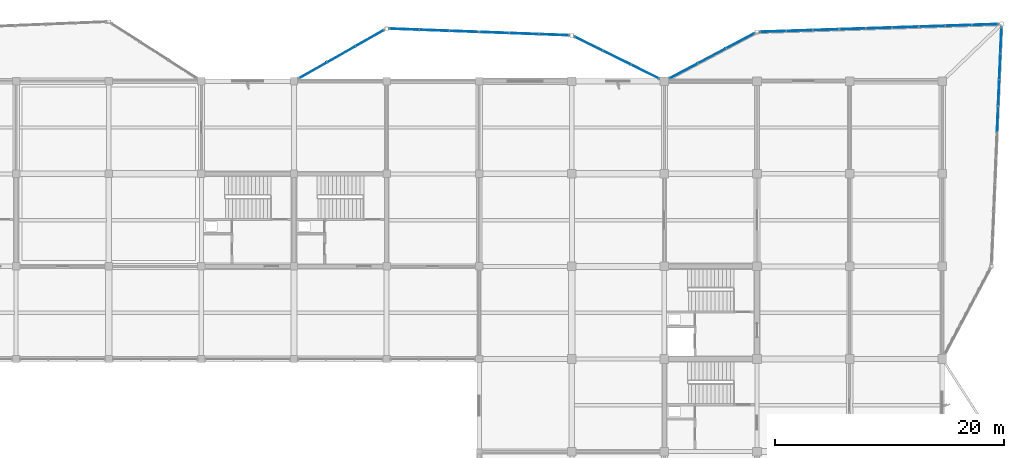
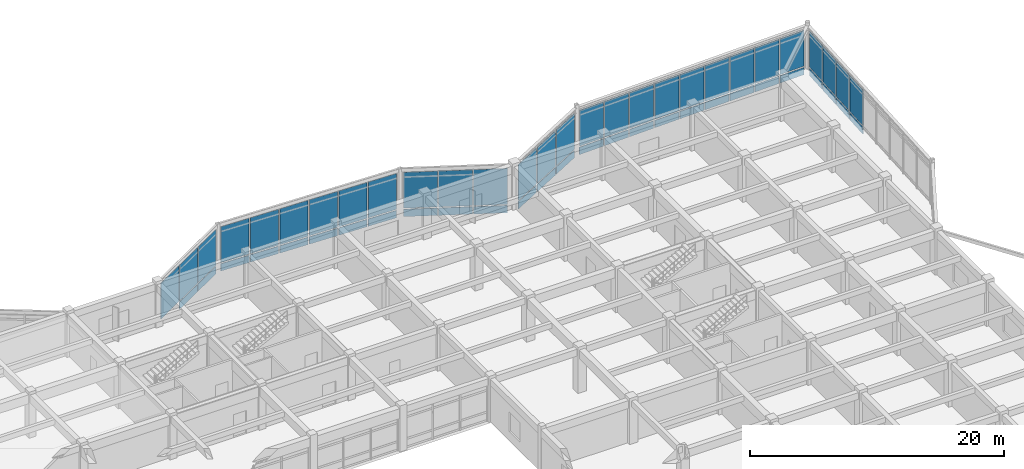
# One storey, part 58 of 89: 55 plates, 10 elements without a shape of their own.
"""IFC4 building model written with IfcOpenShell, lengths in metres."""

from ifc_helpers import new_model, si_unit, direction, frame, origin, origin_2d, place, context, subcontext, project, spatial, rectangle, extrude, material, layer, layer_set, type_object, element, aggregate, save


model = new_model("IFC4")

# Units and contexts
model_context = context("Model", 3, precision=1e-05, world=origin(), true_north=direction((0.0, 1.0)))
body_context = subcontext(model_context, "Body", "Model", "MODEL_VIEW")
ifc_project = project(units=[si_unit("LENGTHUNIT", "METRE"), si_unit("AREAUNIT", "SQUARE_METRE"), si_unit("VOLUMEUNIT", "CUBIC_METRE"), si_unit("PLANEANGLEUNIT", "RADIAN"), si_unit("MASSUNIT", "GRAM", prefix="KILO")], contexts=[model_context])

# Site, building, storey
site_placement = place(None, origin())
site = spatial("IfcSite", under=ifc_project, at=site_placement, CompositionType="ELEMENT")
building_placement = place(site_placement, origin())
building = spatial("IfcBuilding", under=site, at=building_placement, Name="Vaudrelin Polytechnic", CompositionType="ELEMENT")
storey_placement = place(building_placement, frame((0.0, 0.0, 9.68994140625)))
storey = spatial("IfcBuildingStorey", under=building, at=storey_placement, Name="L02", CompositionType="ELEMENT", Elevation=9.68994140625)

# Curtain wall, plates
ifc_material_1 = material(Name="Thermally broken anodised aluminium AA 6063-T6 and low-e triple glazing", Category="aluminium")
ifc_layer_1 = layer(ifc_material_1, 0.199951171875)
ifc_layer_set_1 = layer_set([ifc_layer_1], Name="Thermally broken anodised aluminium AA 6063-T6 and low-e triple glazing")
curtain_wall_type_1 = type_object("IfcCurtainWallType", Name="CW-CW-LAB", PredefinedType="USERDEFINED", material=ifc_layer_set_1)
curtain_wall_1_placement = place(storey_placement, origin())
curtain_wall_1 = element("IfcCurtainWall", 1, at=curtain_wall_1_placement, inside=storey, type_object=curtain_wall_type_1, Name="Curtain wall L02 NEP_1_0", ObjectType="CURTAIN WALL", PredefinedType="USERDEFINED")
ifc_material_2 = material(Name="Insulated ceramic-frit spandrel glass panel", Category="glass")
ifc_layer_2 = layer(ifc_material_2, 0.052001953125)
ifc_layer_set_2 = layer_set([ifc_layer_2], Name="Insulated ceramic-frit spandrel glass panel")
plate_type_1 = type_object("IfcPlateType", Name="PLT-GLZ-SPAND", PredefinedType="CURTAIN_PANEL", material=ifc_layer_set_2)
plate_1_placement = place(storey_placement, frame((147.4873046875, 122.3955078125, -0.5400390625), z_axis=(0.0, 0.0, 1.0), x_axis=(0.88325357809, 0.468895635288, 0.0)))
plate_1 = element("IfcPlate", 2, at=plate_1_placement, type_object=plate_type_1, Name="NEP_1_0 spandrel panel 1", PredefinedType="CURTAIN_PANEL", context=body_context, shape_type="SweptSolid", body=[
    extrude(rectangle(XDim=2.701171875, YDim=0.052001953125, at=origin_2d()), origin(), (0.0, 0.0, 1.0), 0.699951171875),
])
plate_2_placement = place(storey_placement, frame((149.961181640625, 123.708984375, -0.5400390625), z_axis=(0.0, 0.0, 1.0), x_axis=(0.88325357809, 0.468895635288, 0.0)))
plate_2 = element("IfcPlate", 3, at=plate_2_placement, type_object=plate_type_1, Name="NEP_1_0 spandrel panel 2", PredefinedType="CURTAIN_PANEL", context=body_context, shape_type="SweptSolid", body=[
    extrude(rectangle(XDim=2.701171875, YDim=0.052001953125, at=origin_2d()), origin(), (0.0, 0.0, 1.0), 0.699951171875),
])
plate_3_placement = place(storey_placement, frame((152.435302734375, 125.0224609375, -0.5400390625), z_axis=(0.0, 0.0, 1.0), x_axis=(0.88325357809, 0.468895635288, 0.0)))
plate_3 = element("IfcPlate", 4, at=plate_3_placement, type_object=plate_type_1, Name="NEP_1_0 spandrel panel 3", PredefinedType="CURTAIN_PANEL", context=body_context, shape_type="SweptSolid", body=[
    extrude(rectangle(XDim=2.701171875, YDim=0.052001953125, at=origin_2d()), origin(), (0.0, 0.0, 1.0), 0.699951171875),
])

curtain_wall_2_placement = place(storey_placement, origin())
curtain_wall_2 = element("IfcCurtainWall", 5, at=curtain_wall_2_placement, inside=storey, type_object=curtain_wall_type_1, Name="Curtain wall L02 NEP_2_0", ObjectType="CURTAIN WALL", PredefinedType="USERDEFINED")
plate_4_placement = place(storey_placement, frame((155.297119140625, 125.845703125, -0.5400390625), z_axis=(0.0, 0.0, 1.0), x_axis=(0.999465454284, 0.032692593862, 0.0)))
plate_4 = element("IfcPlate", 6, at=plate_4_placement, type_object=plate_type_1, Name="NEP_2_0 spandrel panel 1", PredefinedType="CURTAIN_PANEL", context=body_context, shape_type="SweptSolid", body=[
    extrude(rectangle(XDim=2.220703125, YDim=0.052001953125, at=origin_2d()), origin(), (0.0, 0.0, 1.0), 0.699951171875),
])
plate_5_placement = place(storey_placement, frame((157.616455078125, 125.921630859375, -0.5400390625), z_axis=(0.0, 0.0, 1.0), x_axis=(0.999465454284, 0.032692593862, 0.0)))
plate_5 = element("IfcPlate", 7, at=plate_5_placement, type_object=plate_type_1, Name="NEP_2_0 spandrel panel 2", PredefinedType="CURTAIN_PANEL", context=body_context, shape_type="SweptSolid", body=[
    extrude(rectangle(XDim=2.220703125, YDim=0.052001953125, at=origin_2d()), origin(), (0.0, 0.0, 1.0), 0.699951171875),
])
plate_6_placement = place(storey_placement, frame((159.935791015625, 125.99755859375, -0.5400390625), z_axis=(0.0, 0.0, 1.0), x_axis=(0.999465454284, 0.032692593862, 0.0)))
plate_6 = element("IfcPlate", 8, at=plate_6_placement, type_object=plate_type_1, Name="NEP_2_0 spandrel panel 3", PredefinedType="CURTAIN_PANEL", context=body_context, shape_type="SweptSolid", body=[
    extrude(rectangle(XDim=2.220703125, YDim=0.052001953125, at=origin_2d()), origin(), (0.0, 0.0, 1.0), 0.699951171875),
])

curtain_wall_3_placement = place(storey_placement, origin())
curtain_wall_3 = element("IfcCurtainWall", 9, at=curtain_wall_3_placement, inside=storey, type_object=curtain_wall_type_1, Name="Curtain wall L02 NEP_2_1", ObjectType="CURTAIN WALL", PredefinedType="USERDEFINED")
plate_7_placement = place(storey_placement, frame((162.25537109375, 126.0732421875, -0.5400390625), z_axis=(0.0, 0.0, 1.0), x_axis=(0.999465454284, 0.032692593862, 0.0)))
plate_7 = element("IfcPlate", 10, at=plate_7_placement, type_object=plate_type_1, Name="NEP_2_1 spandrel panel 1", PredefinedType="CURTAIN_PANEL", context=body_context, shape_type="SweptSolid", body=[
    extrude(rectangle(XDim=2.220703125, YDim=0.052001953125, at=origin_2d()), origin(), (0.0, 0.0, 1.0), 0.699951171875),
])
plate_8_placement = place(storey_placement, frame((164.57470703125, 126.149169921875, -0.5400390625), z_axis=(0.0, 0.0, 1.0), x_axis=(0.999465454284, 0.032692593862, 0.0)))
plate_8 = element("IfcPlate", 11, at=plate_8_placement, type_object=plate_type_1, Name="NEP_2_1 spandrel panel 2", PredefinedType="CURTAIN_PANEL", context=body_context, shape_type="SweptSolid", body=[
    extrude(rectangle(XDim=2.220703125, YDim=0.052001953125, at=origin_2d()), origin(), (0.0, 0.0, 1.0), 0.699951171875),
])
plate_9_placement = place(storey_placement, frame((166.89404296875, 126.22509765625, -0.5400390625), z_axis=(0.0, 0.0, 1.0), x_axis=(0.999465454284, 0.032692593862, 0.0)))
plate_9 = element("IfcPlate", 12, at=plate_9_placement, type_object=plate_type_1, Name="NEP_2_1 spandrel panel 3", PredefinedType="CURTAIN_PANEL", context=body_context, shape_type="SweptSolid", body=[
    extrude(rectangle(XDim=2.220703125, YDim=0.052001953125, at=origin_2d()), origin(), (0.0, 0.0, 1.0), 0.699951171875),
])

curtain_wall_4_placement = place(storey_placement, origin())
curtain_wall_4 = element("IfcCurtainWall", 13, at=curtain_wall_4_placement, inside=storey, type_object=curtain_wall_type_1, Name="Curtain wall L02 NEP_2_2", ObjectType="CURTAIN WALL", PredefinedType="USERDEFINED")
plate_10_placement = place(storey_placement, frame((169.21337890625, 126.30078125, -0.5400390625), z_axis=(0.0, 0.0, 1.0), x_axis=(0.999465454284, 0.032692593862, 0.0)))
plate_10 = element("IfcPlate", 14, at=plate_10_placement, type_object=plate_type_1, Name="NEP_2_2 spandrel panel 1", PredefinedType="CURTAIN_PANEL", context=body_context, shape_type="SweptSolid", body=[
    extrude(rectangle(XDim=2.220703125, YDim=0.052001953125, at=origin_2d()), origin(), (0.0, 0.0, 1.0), 0.699951171875),
])
plate_11_placement = place(storey_placement, frame((171.53271484375, 126.376708984375, -0.5400390625), z_axis=(0.0, 0.0, 1.0), x_axis=(0.999465454284, 0.032692593862, 0.0)))
plate_11 = element("IfcPlate", 15, at=plate_11_placement, type_object=plate_type_1, Name="NEP_2_2 spandrel panel 2", PredefinedType="CURTAIN_PANEL", context=body_context, shape_type="SweptSolid", body=[
    extrude(rectangle(XDim=2.220703125, YDim=0.052001953125, at=origin_2d()), origin(), (0.0, 0.0, 1.0), 0.699951171875),
])
plate_12_placement = place(storey_placement, frame((173.85205078125, 126.45263671875, -0.5400390625), z_axis=(0.0, 0.0, 1.0), x_axis=(0.999465454284, 0.032692593862, 0.0)))
plate_12 = element("IfcPlate", 16, at=plate_12_placement, type_object=plate_type_1, Name="NEP_2_2 spandrel panel 3", PredefinedType="CURTAIN_PANEL", context=body_context, shape_type="SweptSolid", body=[
    extrude(rectangle(XDim=2.220703125, YDim=0.052001953125, at=origin_2d()), origin(), (0.0, 0.0, 1.0), 0.699951171875),
])

curtain_wall_5_placement = place(storey_placement, origin())
curtain_wall_5 = element("IfcCurtainWall", 17, at=curtain_wall_5_placement, inside=storey, type_object=curtain_wall_type_1, Name="Curtain wall L02 NEP_3_0", ObjectType="CURTAIN WALL", PredefinedType="USERDEFINED")
plate_13_placement = place(storey_placement, frame((175.239013671875, 125.063232421875, -0.5400390625), z_axis=(0.0, 0.0, 1.0), x_axis=(-0.042419882824, -0.999099871655, 0.0)))
plate_13 = element("IfcPlate", 18, at=plate_13_placement, type_object=plate_type_1, Name="NEP_3_0 spandrel panel 1", PredefinedType="CURTAIN_PANEL", context=body_context, shape_type="SweptSolid", body=[
    extrude(rectangle(XDim=2.19921875, YDim=0.052001953125, at=origin_2d()), origin(), (0.0, 0.0, 1.0), 0.699951171875),
])
plate_14_placement = place(storey_placement, frame((175.1416015625, 122.76611328125, -0.5400390625), z_axis=(0.0, 0.0, 1.0), x_axis=(-0.042419882824, -0.999099871655, 0.0)))
plate_14 = element("IfcPlate", 19, at=plate_14_placement, type_object=plate_type_1, Name="NEP_3_0 spandrel panel 2", PredefinedType="CURTAIN_PANEL", context=body_context, shape_type="SweptSolid", body=[
    extrude(rectangle(XDim=2.19921875, YDim=0.052001953125, at=origin_2d()), origin(), (0.0, 0.0, 1.0), 0.699951171875),
])
plate_15_placement = place(storey_placement, frame((175.0439453125, 120.468994140625, -0.5400390625), z_axis=(0.0, 0.0, 1.0), x_axis=(-0.042419882824, -0.999099871655, 0.0)))
plate_15 = element("IfcPlate", 20, at=plate_15_placement, type_object=plate_type_1, Name="NEP_3_0 spandrel panel 3", PredefinedType="CURTAIN_PANEL", context=body_context, shape_type="SweptSolid", body=[
    extrude(rectangle(XDim=2.19921875, YDim=0.052001953125, at=origin_2d()), origin(), (0.0, 0.0, 1.0), 0.699951171875),
])

# Curtain wall, plate
curtain_wall_6_placement = place(storey_placement, origin())
curtain_wall_6 = element("IfcCurtainWall", 21, at=curtain_wall_6_placement, inside=storey, type_object=curtain_wall_type_1, Name="Curtain wall L02 NEP_3_1", ObjectType="CURTAIN WALL", PredefinedType="USERDEFINED")
plate_16_placement = place(storey_placement, frame((174.9462890625, 118.171875, -0.5400390625), z_axis=(0.0, 0.0, 1.0), x_axis=(-0.042405411318, -0.999100485983, 0.0)))
plate_16 = element("IfcPlate", 22, at=plate_16_placement, type_object=plate_type_1, Name="NEP_3_1 spandrel panel 1", PredefinedType="CURTAIN_PANEL", context=body_context, shape_type="SweptSolid", body=[
    extrude(rectangle(XDim=2.19921875, YDim=0.052001953125, at=origin_2d()), origin(), (0.0, 0.0, 1.0), 0.699951171875),
])

# Curtain wall, plates
ifc_layer_3 = layer(ifc_material_1, 0.199951171875)
ifc_layer_set_3 = layer_set([ifc_layer_3], Name="Thermally broken anodised aluminium AA 6063-T6 and low-e triple glazing")
curtain_wall_type_2 = type_object("IfcCurtainWallType", Name="CW-CW-STU", PredefinedType="USERDEFINED", material=ifc_layer_set_3)
curtain_wall_7_placement = place(storey_placement, origin())
curtain_wall_7 = element("IfcCurtainWall", 23, at=curtain_wall_7_placement, inside=storey, type_object=curtain_wall_type_2, Name="Curtain wall L02 N_OR3_1_0", ObjectType="CURTAIN WALL", PredefinedType="USERDEFINED")
plate_17_placement = place(storey_placement, frame((117.5361328125, 123.84912109375, -0.5400390625), z_axis=(0.0, 0.0, 1.0), x_axis=(0.869560902345, 0.493825715322, 0.0)))
plate_17 = element("IfcPlate", 24, at=plate_17_placement, type_object=plate_type_1, Name="N_OR3_1_0 spandrel panel 2", PredefinedType="CURTAIN_PANEL", context=body_context, shape_type="SweptSolid", body=[
    extrude(rectangle(XDim=2.765380859375, YDim=0.052001953125, at=origin_2d()), origin(), (0.0, 0.0, 1.0), 0.699951171875),
])
plate_18_placement = place(storey_placement, frame((120.02783203125, 125.263916015625, -0.5400390625), z_axis=(0.0, 0.0, 1.0), x_axis=(0.869560902345, 0.493825715322, 0.0)))
plate_18 = element("IfcPlate", 25, at=plate_18_placement, type_object=plate_type_1, Name="N_OR3_1_0 spandrel panel 3", PredefinedType="CURTAIN_PANEL", context=body_context, shape_type="SweptSolid", body=[
    extrude(rectangle(XDim=2.765380859375, YDim=0.052001953125, at=origin_2d()), origin(), (0.0, 0.0, 1.0), 0.699951171875),
])

curtain_wall_8_placement = place(storey_placement, origin())
curtain_wall_8 = element("IfcCurtainWall", 26, at=curtain_wall_8_placement, inside=storey, type_object=curtain_wall_type_2, Name="Curtain wall L02 N_OR3_2_0", ObjectType="CURTAIN WALL", PredefinedType="USERDEFINED")
plate_19_placement = place(storey_placement, frame((123.0478515625, 126.042724609375, -0.5400390625), z_axis=(0.0, 0.0, 1.0), x_axis=(0.999314868587, -0.037010720341, 0.0)))
plate_19 = element("IfcPlate", 27, at=plate_19_placement, type_object=plate_type_1, Name="N_OR3_2_0 spandrel panel 1", PredefinedType="CURTAIN_PANEL", context=body_context, shape_type="SweptSolid", body=[
    extrude(rectangle(XDim=2.522705078125, YDim=0.052001953125, at=origin_2d()), origin(), (0.0, 0.0, 1.0), 0.699951171875),
])
plate_20_placement = place(storey_placement, frame((125.668701171875, 125.945556640625, -0.5400390625), z_axis=(0.0, 0.0, 1.0), x_axis=(0.999314868587, -0.037010720341, 0.0)))
plate_20 = element("IfcPlate", 28, at=plate_20_placement, type_object=plate_type_1, Name="N_OR3_2_0 spandrel panel 2", PredefinedType="CURTAIN_PANEL", context=body_context, shape_type="SweptSolid", body=[
    extrude(rectangle(XDim=2.522705078125, YDim=0.052001953125, at=origin_2d()), origin(), (0.0, 0.0, 1.0), 0.699951171875),
])
plate_21_placement = place(storey_placement, frame((128.28955078125, 125.848388671875, -0.5400390625), z_axis=(0.0, 0.0, 1.0), x_axis=(0.999314868587, -0.037010720341, 0.0)))
plate_21 = element("IfcPlate", 29, at=plate_21_placement, type_object=plate_type_1, Name="N_OR3_2_0 spandrel panel 3", PredefinedType="CURTAIN_PANEL", context=body_context, shape_type="SweptSolid", body=[
    extrude(rectangle(XDim=2.522705078125, YDim=0.052001953125, at=origin_2d()), origin(), (0.0, 0.0, 1.0), 0.699951171875),
])

curtain_wall_9_placement = place(storey_placement, origin())
curtain_wall_9 = element("IfcCurtainWall", 30, at=curtain_wall_9_placement, inside=storey, type_object=curtain_wall_type_2, Name="Curtain wall L02 N_OR3_2_1", ObjectType="CURTAIN WALL", PredefinedType="USERDEFINED")
plate_22_placement = place(storey_placement, frame((130.910400390625, 125.75146484375, -0.5400390625), z_axis=(0.0, 0.0, 1.0), x_axis=(0.999314868587, -0.037010720341, 0.0)))
plate_22 = element("IfcPlate", 31, at=plate_22_placement, type_object=plate_type_1, Name="N_OR3_2_1 spandrel panel 1", PredefinedType="CURTAIN_PANEL", context=body_context, shape_type="SweptSolid", body=[
    extrude(rectangle(XDim=2.522705078125, YDim=0.052001953125, at=origin_2d()), origin(), (0.0, 0.0, 1.0), 0.699951171875),
])
plate_23_placement = place(storey_placement, frame((133.53125, 125.654296875, -0.5400390625), z_axis=(0.0, 0.0, 1.0), x_axis=(0.999314868587, -0.037010720341, 0.0)))
plate_23 = element("IfcPlate", 32, at=plate_23_placement, type_object=plate_type_1, Name="N_OR3_2_1 spandrel panel 2", PredefinedType="CURTAIN_PANEL", context=body_context, shape_type="SweptSolid", body=[
    extrude(rectangle(XDim=2.522705078125, YDim=0.052001953125, at=origin_2d()), origin(), (0.0, 0.0, 1.0), 0.699951171875),
])
plate_24_placement = place(storey_placement, frame((136.152099609375, 125.557373046875, -0.5400390625), z_axis=(0.0, 0.0, 1.0), x_axis=(0.999314868587, -0.037010720341, 0.0)))
plate_24 = element("IfcPlate", 33, at=plate_24_placement, type_object=plate_type_1, Name="N_OR3_2_1 spandrel panel 3", PredefinedType="CURTAIN_PANEL", context=body_context, shape_type="SweptSolid", body=[
    extrude(rectangle(XDim=2.522705078125, YDim=0.052001953125, at=origin_2d()), origin(), (0.0, 0.0, 1.0), 0.699951171875),
])

curtain_wall_10_placement = place(storey_placement, origin())
curtain_wall_10 = element("IfcCurtainWall", 34, at=curtain_wall_10_placement, inside=storey, type_object=curtain_wall_type_2, Name="Curtain wall L02 N_OR3_3_0", ObjectType="CURTAIN WALL", PredefinedType="USERDEFINED")
plate_25_placement = place(storey_placement, frame((139.165283203125, 124.7763671875, -0.5400390625), z_axis=(0.0, 0.0, 1.0), x_axis=(0.896627585947, -0.442785469635, 0.0)))
plate_25 = element("IfcPlate", 35, at=plate_25_placement, type_object=plate_type_1, Name="N_OR3_3_0 spandrel panel 1", PredefinedType="CURTAIN_PANEL", context=body_context, shape_type="SweptSolid", body=[
    extrude(rectangle(XDim=2.658447265625, YDim=0.052001953125, at=origin_2d()), origin(), (0.0, 0.0, 1.0), 0.699951171875),
])
plate_26_placement = place(storey_placement, frame((141.638916015625, 123.554931640625, -0.5400390625), z_axis=(0.0, 0.0, 1.0), x_axis=(0.896627585947, -0.442785469635, 0.0)))
plate_26 = element("IfcPlate", 36, at=plate_26_placement, type_object=plate_type_1, Name="N_OR3_3_0 spandrel panel 2", PredefinedType="CURTAIN_PANEL", context=body_context, shape_type="SweptSolid", body=[
    extrude(rectangle(XDim=2.658447265625, YDim=0.052001953125, at=origin_2d()), origin(), (0.0, 0.0, 1.0), 0.699951171875),
])
plate_27_placement = place(storey_placement, frame((144.112060546875, 122.33349609375, -0.5400390625), z_axis=(0.0, 0.0, 1.0), x_axis=(0.896627585947, -0.442785469635, 0.0)))
plate_27 = element("IfcPlate", 37, at=plate_27_placement, type_object=plate_type_1, Name="N_OR3_3_0 spandrel panel 3", PredefinedType="CURTAIN_PANEL", context=body_context, shape_type="SweptSolid", body=[
    extrude(rectangle(XDim=2.658447265625, YDim=0.052001953125, at=origin_2d()), origin(), (0.0, 0.0, 1.0), 0.699951171875),
])

# Plate
ifc_material_3 = material(Name="Triple low-e argon insulated glazing unit", Category="glass")
ifc_layer_4 = layer(ifc_material_3, 0.0439453125)
ifc_layer_set_4 = layer_set([ifc_layer_4], Name="Triple low-e argon insulated glazing unit")
plate_type_2 = type_object("IfcPlateType", Name="PLT-GLZ-TRIPLE", PredefinedType="CURTAIN_PANEL", material=ifc_layer_set_4)
plate_28_placement = place(storey_placement, frame((147.4873046875, 122.3955078125, 0.27001953125), z_axis=(0.0, 0.0, 1.0), x_axis=(0.88325357809, 0.468895635288, 0.0)))
plate_28 = element("IfcPlate", 38, at=plate_28_placement, type_object=plate_type_2, Name="NEP_1_0 vision panel 1", PredefinedType="CURTAIN_PANEL", context=body_context, shape_type="SweptSolid", body=[
    extrude(rectangle(XDim=2.701171875, YDim=0.0439453125, at=origin_2d()), origin(), (0.0, 0.0, 1.0), 3.43994140625),
])

plate_29_placement = place(storey_placement, frame((149.961181640625, 123.708984375, 0.27001953125), z_axis=(0.0, 0.0, 1.0), x_axis=(0.88325357809, 0.468895635288, 0.0)))
plate_29 = element("IfcPlate", 39, at=plate_29_placement, type_object=plate_type_2, Name="NEP_1_0 vision panel 2", PredefinedType="CURTAIN_PANEL", context=body_context, shape_type="SweptSolid", body=[
    extrude(rectangle(XDim=2.701171875, YDim=0.0439453125, at=origin_2d()), origin(), (0.0, 0.0, 1.0), 3.43994140625),
])

plate_30_placement = place(storey_placement, frame((152.435302734375, 125.0224609375, 0.27001953125), z_axis=(0.0, 0.0, 1.0), x_axis=(0.88325357809, 0.468895635288, 0.0)))
plate_30 = element("IfcPlate", 40, at=plate_30_placement, type_object=plate_type_2, Name="NEP_1_0 vision panel 3", PredefinedType="CURTAIN_PANEL", context=body_context, shape_type="SweptSolid", body=[
    extrude(rectangle(XDim=2.701171875, YDim=0.0439453125, at=origin_2d()), origin(), (0.0, 0.0, 1.0), 3.43994140625),
])

aggregate(curtain_wall_1, [plate_1, plate_28, plate_2, plate_29, plate_3, plate_30])

plate_31_placement = place(storey_placement, frame((155.297119140625, 125.845703125, 0.27001953125), z_axis=(0.0, 0.0, 1.0), x_axis=(0.999465454284, 0.032692593862, 0.0)))
plate_31 = element("IfcPlate", 41, at=plate_31_placement, type_object=plate_type_2, Name="NEP_2_0 vision panel 1", PredefinedType="CURTAIN_PANEL", context=body_context, shape_type="SweptSolid", body=[
    extrude(rectangle(XDim=2.220703125, YDim=0.0439453125, at=origin_2d()), origin(), (0.0, 0.0, 1.0), 3.43994140625),
])

plate_32_placement = place(storey_placement, frame((157.616455078125, 125.921630859375, 0.27001953125), z_axis=(0.0, 0.0, 1.0), x_axis=(0.999465454284, 0.032692593862, 0.0)))
plate_32 = element("IfcPlate", 42, at=plate_32_placement, type_object=plate_type_2, Name="NEP_2_0 vision panel 2", PredefinedType="CURTAIN_PANEL", context=body_context, shape_type="SweptSolid", body=[
    extrude(rectangle(XDim=2.220703125, YDim=0.0439453125, at=origin_2d()), origin(), (0.0, 0.0, 1.0), 3.43994140625),
])

plate_33_placement = place(storey_placement, frame((159.935791015625, 125.99755859375, 0.27001953125), z_axis=(0.0, 0.0, 1.0), x_axis=(0.999465454284, 0.032692593862, 0.0)))
plate_33 = element("IfcPlate", 43, at=plate_33_placement, type_object=plate_type_2, Name="NEP_2_0 vision panel 3", PredefinedType="CURTAIN_PANEL", context=body_context, shape_type="SweptSolid", body=[
    extrude(rectangle(XDim=2.220703125, YDim=0.0439453125, at=origin_2d()), origin(), (0.0, 0.0, 1.0), 3.43994140625),
])

aggregate(curtain_wall_2, [plate_4, plate_31, plate_5, plate_32, plate_6, plate_33])

plate_34_placement = place(storey_placement, frame((162.25537109375, 126.0732421875, 0.27001953125), z_axis=(0.0, 0.0, 1.0), x_axis=(0.999465454284, 0.032692593862, 0.0)))
plate_34 = element("IfcPlate", 44, at=plate_34_placement, type_object=plate_type_2, Name="NEP_2_1 vision panel 1", PredefinedType="CURTAIN_PANEL", context=body_context, shape_type="SweptSolid", body=[
    extrude(rectangle(XDim=2.220703125, YDim=0.0439453125, at=origin_2d()), origin(), (0.0, 0.0, 1.0), 3.43994140625),
])

plate_35_placement = place(storey_placement, frame((164.57470703125, 126.149169921875, 0.27001953125), z_axis=(0.0, 0.0, 1.0), x_axis=(0.999465454284, 0.032692593862, 0.0)))
plate_35 = element("IfcPlate", 45, at=plate_35_placement, type_object=plate_type_2, Name="NEP_2_1 vision panel 2", PredefinedType="CURTAIN_PANEL", context=body_context, shape_type="SweptSolid", body=[
    extrude(rectangle(XDim=2.220703125, YDim=0.0439453125, at=origin_2d()), origin(), (0.0, 0.0, 1.0), 3.43994140625),
])

plate_36_placement = place(storey_placement, frame((166.89404296875, 126.22509765625, 0.27001953125), z_axis=(0.0, 0.0, 1.0), x_axis=(0.999465454284, 0.032692593862, 0.0)))
plate_36 = element("IfcPlate", 46, at=plate_36_placement, type_object=plate_type_2, Name="NEP_2_1 vision panel 3", PredefinedType="CURTAIN_PANEL", context=body_context, shape_type="SweptSolid", body=[
    extrude(rectangle(XDim=2.220703125, YDim=0.0439453125, at=origin_2d()), origin(), (0.0, 0.0, 1.0), 3.43994140625),
])

aggregate(curtain_wall_3, [plate_7, plate_34, plate_8, plate_35, plate_9, plate_36])

plate_37_placement = place(storey_placement, frame((169.21337890625, 126.30078125, 0.27001953125), z_axis=(0.0, 0.0, 1.0), x_axis=(0.999465454284, 0.032692593862, 0.0)))
plate_37 = element("IfcPlate", 47, at=plate_37_placement, type_object=plate_type_2, Name="NEP_2_2 vision panel 1", PredefinedType="CURTAIN_PANEL", context=body_context, shape_type="SweptSolid", body=[
    extrude(rectangle(XDim=2.220703125, YDim=0.0439453125, at=origin_2d()), origin(), (0.0, 0.0, 1.0), 3.43994140625),
])

plate_38_placement = place(storey_placement, frame((171.53271484375, 126.376708984375, 0.27001953125), z_axis=(0.0, 0.0, 1.0), x_axis=(0.999465454284, 0.032692593862, 0.0)))
plate_38 = element("IfcPlate", 48, at=plate_38_placement, type_object=plate_type_2, Name="NEP_2_2 vision panel 2", PredefinedType="CURTAIN_PANEL", context=body_context, shape_type="SweptSolid", body=[
    extrude(rectangle(XDim=2.220703125, YDim=0.0439453125, at=origin_2d()), origin(), (0.0, 0.0, 1.0), 3.43994140625),
])

plate_39_placement = place(storey_placement, frame((173.85205078125, 126.45263671875, 0.27001953125), z_axis=(0.0, 0.0, 1.0), x_axis=(0.999465454284, 0.032692593862, 0.0)))
plate_39 = element("IfcPlate", 49, at=plate_39_placement, type_object=plate_type_2, Name="NEP_2_2 vision panel 3", PredefinedType="CURTAIN_PANEL", context=body_context, shape_type="SweptSolid", body=[
    extrude(rectangle(XDim=2.220703125, YDim=0.0439453125, at=origin_2d()), origin(), (0.0, 0.0, 1.0), 3.43994140625),
])

aggregate(curtain_wall_4, [plate_10, plate_37, plate_11, plate_38, plate_12, plate_39])

plate_40_placement = place(storey_placement, frame((175.239013671875, 125.063232421875, 0.27001953125), z_axis=(0.0, 0.0, 1.0), x_axis=(-0.042419882824, -0.999099871655, 0.0)))
plate_40 = element("IfcPlate", 50, at=plate_40_placement, type_object=plate_type_2, Name="NEP_3_0 vision panel 1", PredefinedType="CURTAIN_PANEL", context=body_context, shape_type="SweptSolid", body=[
    extrude(rectangle(XDim=2.19921875, YDim=0.0439453125, at=origin_2d()), origin(), (0.0, 0.0, 1.0), 3.43994140625),
])

plate_41_placement = place(storey_placement, frame((175.1416015625, 122.76611328125, 0.27001953125), z_axis=(0.0, 0.0, 1.0), x_axis=(-0.042419882824, -0.999099871655, 0.0)))
plate_41 = element("IfcPlate", 51, at=plate_41_placement, type_object=plate_type_2, Name="NEP_3_0 vision panel 2", PredefinedType="CURTAIN_PANEL", context=body_context, shape_type="SweptSolid", body=[
    extrude(rectangle(XDim=2.19921875, YDim=0.0439453125, at=origin_2d()), origin(), (0.0, 0.0, 1.0), 3.43994140625),
])

plate_42_placement = place(storey_placement, frame((175.0439453125, 120.468994140625, 0.27001953125), z_axis=(0.0, 0.0, 1.0), x_axis=(-0.042419882824, -0.999099871655, 0.0)))
plate_42 = element("IfcPlate", 52, at=plate_42_placement, type_object=plate_type_2, Name="NEP_3_0 vision panel 3", PredefinedType="CURTAIN_PANEL", context=body_context, shape_type="SweptSolid", body=[
    extrude(rectangle(XDim=2.19921875, YDim=0.0439453125, at=origin_2d()), origin(), (0.0, 0.0, 1.0), 3.43994140625),
])

aggregate(curtain_wall_5, [plate_13, plate_40, plate_14, plate_41, plate_15, plate_42])

plate_43_placement = place(storey_placement, frame((174.9462890625, 118.171875, 0.27001953125), z_axis=(0.0, 0.0, 1.0), x_axis=(-0.042405411318, -0.999100485983, 0.0)))
plate_43 = element("IfcPlate", 53, at=plate_43_placement, type_object=plate_type_2, Name="NEP_3_1 vision panel 1", PredefinedType="CURTAIN_PANEL", context=body_context, shape_type="SweptSolid", body=[
    extrude(rectangle(XDim=2.19921875, YDim=0.0439453125, at=origin_2d()), origin(), (0.0, 0.0, 1.0), 3.43994140625),
])

aggregate(curtain_wall_6, [plate_16, plate_43])

plate_44_placement = place(storey_placement, frame((115.044677734375, 122.43408203125, 0.27001953125), z_axis=(0.0, 0.0, 1.0), x_axis=(0.869560902345, 0.493825715322, 0.0)))
plate_44 = element("IfcPlate", 54, at=plate_44_placement, type_object=plate_type_2, Name="N_OR3_1_0 vision panel 1", PredefinedType="CURTAIN_PANEL", context=body_context, shape_type="SweptSolid", body=[
    extrude(rectangle(XDim=2.765380859375, YDim=0.0439453125, at=origin_2d()), origin(), (0.0, 0.0, 1.0), 3.43994140625),
])

plate_45_placement = place(storey_placement, frame((117.5361328125, 123.84912109375, 0.27001953125), z_axis=(0.0, 0.0, 1.0), x_axis=(0.869560902345, 0.493825715322, 0.0)))
plate_45 = element("IfcPlate", 55, at=plate_45_placement, type_object=plate_type_2, Name="N_OR3_1_0 vision panel 2", PredefinedType="CURTAIN_PANEL", context=body_context, shape_type="SweptSolid", body=[
    extrude(rectangle(XDim=2.765380859375, YDim=0.0439453125, at=origin_2d()), origin(), (0.0, 0.0, 1.0), 3.43994140625),
])

plate_46_placement = place(storey_placement, frame((120.02783203125, 125.263916015625, 0.27001953125), z_axis=(0.0, 0.0, 1.0), x_axis=(0.869560902345, 0.493825715322, 0.0)))
plate_46 = element("IfcPlate", 56, at=plate_46_placement, type_object=plate_type_2, Name="N_OR3_1_0 vision panel 3", PredefinedType="CURTAIN_PANEL", context=body_context, shape_type="SweptSolid", body=[
    extrude(rectangle(XDim=2.765380859375, YDim=0.0439453125, at=origin_2d()), origin(), (0.0, 0.0, 1.0), 3.43994140625),
])

aggregate(curtain_wall_7, [plate_44, plate_17, plate_45, plate_18, plate_46])

plate_47_placement = place(storey_placement, frame((123.0478515625, 126.042724609375, 0.27001953125), z_axis=(0.0, 0.0, 1.0), x_axis=(0.999314868587, -0.037010720341, 0.0)))
plate_47 = element("IfcPlate", 57, at=plate_47_placement, type_object=plate_type_2, Name="N_OR3_2_0 vision panel 1", PredefinedType="CURTAIN_PANEL", context=body_context, shape_type="SweptSolid", body=[
    extrude(rectangle(XDim=2.522705078125, YDim=0.0439453125, at=origin_2d()), origin(), (0.0, 0.0, 1.0), 3.43994140625),
])

plate_48_placement = place(storey_placement, frame((125.668701171875, 125.945556640625, 0.27001953125), z_axis=(0.0, 0.0, 1.0), x_axis=(0.999314868587, -0.037010720341, 0.0)))
plate_48 = element("IfcPlate", 58, at=plate_48_placement, type_object=plate_type_2, Name="N_OR3_2_0 vision panel 2", PredefinedType="CURTAIN_PANEL", context=body_context, shape_type="SweptSolid", body=[
    extrude(rectangle(XDim=2.522705078125, YDim=0.0439453125, at=origin_2d()), origin(), (0.0, 0.0, 1.0), 3.43994140625),
])

plate_49_placement = place(storey_placement, frame((128.28955078125, 125.848388671875, 0.27001953125), z_axis=(0.0, 0.0, 1.0), x_axis=(0.999314868587, -0.037010720341, 0.0)))
plate_49 = element("IfcPlate", 59, at=plate_49_placement, type_object=plate_type_2, Name="N_OR3_2_0 vision panel 3", PredefinedType="CURTAIN_PANEL", context=body_context, shape_type="SweptSolid", body=[
    extrude(rectangle(XDim=2.522705078125, YDim=0.0439453125, at=origin_2d()), origin(), (0.0, 0.0, 1.0), 3.43994140625),
])

aggregate(curtain_wall_8, [plate_19, plate_47, plate_20, plate_48, plate_21, plate_49])

plate_50_placement = place(storey_placement, frame((130.910400390625, 125.75146484375, 0.27001953125), z_axis=(0.0, 0.0, 1.0), x_axis=(0.999314868587, -0.037010720341, 0.0)))
plate_50 = element("IfcPlate", 60, at=plate_50_placement, type_object=plate_type_2, Name="N_OR3_2_1 vision panel 1", PredefinedType="CURTAIN_PANEL", context=body_context, shape_type="SweptSolid", body=[
    extrude(rectangle(XDim=2.522705078125, YDim=0.0439453125, at=origin_2d()), origin(), (0.0, 0.0, 1.0), 3.43994140625),
])

plate_51_placement = place(storey_placement, frame((133.53125, 125.654296875, 0.27001953125), z_axis=(0.0, 0.0, 1.0), x_axis=(0.999314868587, -0.037010720341, 0.0)))
plate_51 = element("IfcPlate", 61, at=plate_51_placement, type_object=plate_type_2, Name="N_OR3_2_1 vision panel 2", PredefinedType="CURTAIN_PANEL", context=body_context, shape_type="SweptSolid", body=[
    extrude(rectangle(XDim=2.522705078125, YDim=0.0439453125, at=origin_2d()), origin(), (0.0, 0.0, 1.0), 3.43994140625),
])

plate_52_placement = place(storey_placement, frame((136.152099609375, 125.557373046875, 0.27001953125), z_axis=(0.0, 0.0, 1.0), x_axis=(0.999314868587, -0.037010720341, 0.0)))
plate_52 = element("IfcPlate", 62, at=plate_52_placement, type_object=plate_type_2, Name="N_OR3_2_1 vision panel 3", PredefinedType="CURTAIN_PANEL", context=body_context, shape_type="SweptSolid", body=[
    extrude(rectangle(XDim=2.522705078125, YDim=0.0439453125, at=origin_2d()), origin(), (0.0, 0.0, 1.0), 3.43994140625),
])

aggregate(curtain_wall_9, [plate_22, plate_50, plate_23, plate_51, plate_24, plate_52])

plate_53_placement = place(storey_placement, frame((139.165283203125, 124.7763671875, 0.27001953125), z_axis=(0.0, 0.0, 1.0), x_axis=(0.896627585947, -0.442785469635, 0.0)))
plate_53 = element("IfcPlate", 63, at=plate_53_placement, type_object=plate_type_2, Name="N_OR3_3_0 vision panel 1", PredefinedType="CURTAIN_PANEL", context=body_context, shape_type="SweptSolid", body=[
    extrude(rectangle(XDim=2.658447265625, YDim=0.0439453125, at=origin_2d()), origin(), (0.0, 0.0, 1.0), 3.43994140625),
])

plate_54_placement = place(storey_placement, frame((141.638916015625, 123.554931640625, 0.27001953125), z_axis=(0.0, 0.0, 1.0), x_axis=(0.896627585947, -0.442785469635, 0.0)))
plate_54 = element("IfcPlate", 64, at=plate_54_placement, type_object=plate_type_2, Name="N_OR3_3_0 vision panel 2", PredefinedType="CURTAIN_PANEL", context=body_context, shape_type="SweptSolid", body=[
    extrude(rectangle(XDim=2.658447265625, YDim=0.0439453125, at=origin_2d()), origin(), (0.0, 0.0, 1.0), 3.43994140625),
])

plate_55_placement = place(storey_placement, frame((144.112060546875, 122.33349609375, 0.27001953125), z_axis=(0.0, 0.0, 1.0), x_axis=(0.896627585947, -0.442785469635, 0.0)))
plate_55 = element("IfcPlate", 65, at=plate_55_placement, type_object=plate_type_2, Name="N_OR3_3_0 vision panel 3", PredefinedType="CURTAIN_PANEL", context=body_context, shape_type="SweptSolid", body=[
    extrude(rectangle(XDim=2.658447265625, YDim=0.0439453125, at=origin_2d()), origin(), (0.0, 0.0, 1.0), 3.43994140625),
])

aggregate(curtain_wall_10, [plate_25, plate_53, plate_26, plate_54, plate_27, plate_55])

save(model, "model.ifc")
